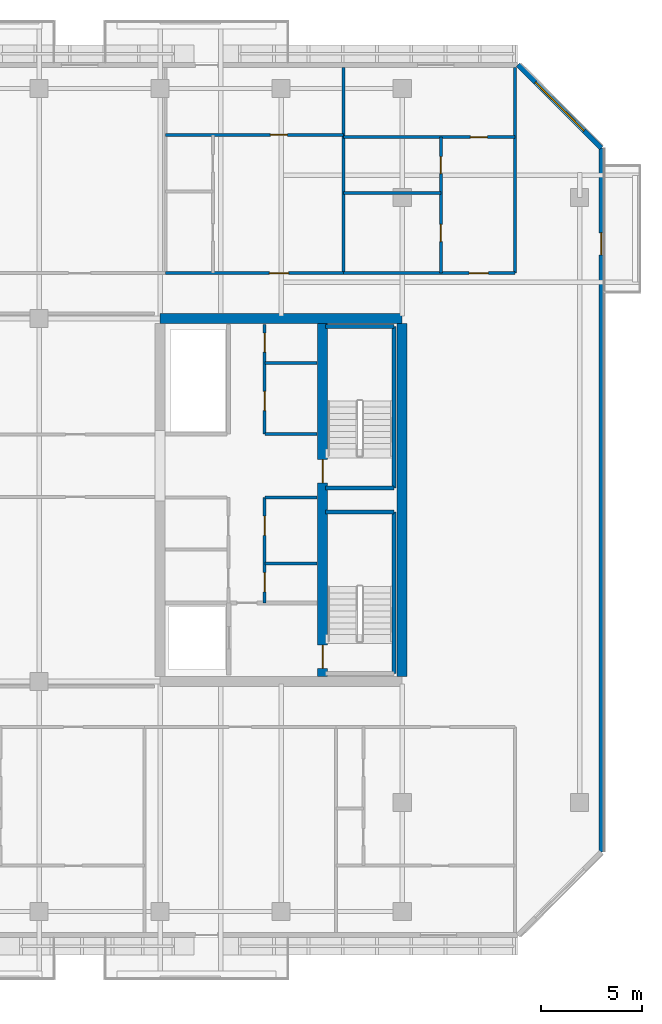
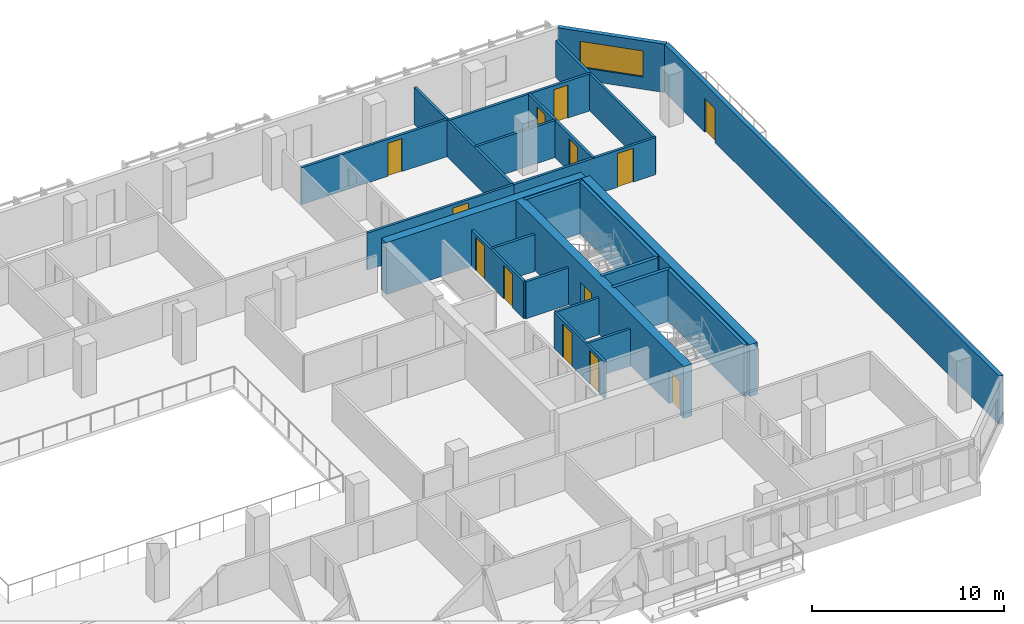
# One storey, part 14 of 21: 24 walls, 13 doors, 1 window, 14 openings.
"""IFC4 building model written with IfcOpenShell, lengths in metres."""

from ifc_helpers import new_model, si_unit, direction, frame, frame_2d, origin, place, context, subcontext, project, spatial, rectangle, extrude, material, layer, layer_set, type_object, element, fill, save


model = new_model("IFC4")

# Units and contexts
model_context = context("Model", 3, precision=1e-05, world=origin(), true_north=direction((0.0, 1.0)))
body_context = subcontext(model_context, "Body", "Model", "MODEL_VIEW")
ifc_project = project(units=[si_unit("LENGTHUNIT", "METRE"), si_unit("AREAUNIT", "SQUARE_METRE"), si_unit("VOLUMEUNIT", "CUBIC_METRE"), si_unit("PLANEANGLEUNIT", "RADIAN"), si_unit("MASSUNIT", "GRAM", prefix="KILO")], contexts=[model_context])

# Site, building, storey
site_placement = place(None, origin())
site = spatial("IfcSite", under=ifc_project, at=site_placement, CompositionType="ELEMENT")
building_placement = place(site_placement, origin())
building = spatial("IfcBuilding", under=site, at=building_placement, Name="Tanjung Sevakor Pilgrim Tower", CompositionType="ELEMENT")
storey_placement = place(building_placement, frame((0.0, 0.0, 145.199951171875)))
storey = spatial("IfcBuildingStorey", under=building, at=storey_placement, Name="L40", CompositionType="ELEMENT", Elevation=145.199951171875)

# Walls
ifc_material_1 = material(Name="Concrete C60/75", Category="concrete")
ifc_layer_1 = layer(ifc_material_1, 0.5)
ifc_layer_set_1 = layer_set([ifc_layer_1], Name="WALL-CW-500")
wall_type_1 = type_object("IfcWallType", Name="WALL-CW-500", PredefinedType="SHEAR", material=ifc_layer_set_1)
wall_1_placement = place(storey_placement, frame((90.0, 42.60009765625, 0.0), z_axis=(0.0, 0.0, 1.0), x_axis=(-1.0, 0.0, 0.0)))
element("IfcWall", 1, at=wall_1_placement, inside=storey, type_object=wall_type_1, Name="L40 E Core North Shear Wall", PredefinedType="SHEAR", context=body_context, shape_type="SweptSolid", body=[
    extrude(rectangle(XDim=12.0, YDim=0.5, at=frame_2d((6.0, 0.0))), origin(), (0.0, 0.0, 1.0), 3.300048828125),
])
wall_2_placement = place(storey_placement, frame((90.0, 24.85009765625, 0.0), z_axis=(0.0, 0.0, 1.0), x_axis=(0.0, 1.0, 0.0)))
element("IfcWall", 2, at=wall_2_placement, inside=storey, type_object=wall_type_1, Name="L40 E Core Outer Shear Wall", PredefinedType="SHEAR", context=body_context, shape_type="SweptSolid", body=[
    extrude(rectangle(XDim=17.5, YDim=0.5, at=frame_2d((8.75, 0.0))), origin(), (0.0, 0.0, 1.0), 3.300048828125),
])

# Wall, openings, doors
wall_3_placement = place(storey_placement, frame((86.050048828125, 24.85009765625, 0.0), z_axis=(0.0, 0.0, 1.0), x_axis=(0.0, 1.0, 0.0)))
wall_3 = element("IfcWall", 3, at=wall_3_placement, inside=storey, type_object=wall_type_1, Name="L40 E Core Stair Spine Wall", PredefinedType="SHEAR", context=body_context, shape_type="SweptSolid", body=[
    extrude(rectangle(XDim=17.5, YDim=0.5, at=frame_2d((8.75, 0.0))), origin(), (0.0, 0.0, 1.0), 3.300048828125),
])
opening_1_placement = place(wall_3_placement, frame((0.39990234375, 0.0, 0.0)))
opening_1 = element("IfcOpeningElement", 4, at=opening_1_placement, cuts=wall_3, Name="Opening ID-ST1", PredefinedType="OPENING", context=body_context, shape_type="SweptSolid", body=[
    extrude(rectangle(XDim=1.14990234375, YDim=2.14990234375, at=frame_2d((0.574951171875, 1.074951171875))), frame((0.0, 0.260009765625, 0.0), z_axis=(0.0, -1.0, 0.0), x_axis=(1.0, 0.0, 0.0)), (0.0, 0.0, 1.0), 0.52001953125),
])
opening_2_placement = place(wall_3_placement, frame((9.60009765625, 0.0, 0.0)))
opening_2 = element("IfcOpeningElement", 5, at=opening_2_placement, cuts=wall_3, Name="Opening ID-ST1", PredefinedType="OPENING", context=body_context, shape_type="SweptSolid", body=[
    extrude(rectangle(XDim=1.14990234375, YDim=2.14990234375, at=frame_2d((0.574951171875, 1.074951171875))), frame((0.0, 0.260009765625, 0.0), z_axis=(0.0, -1.0, 0.0), x_axis=(1.0, 0.0, 0.0)), (0.0, 0.0, 1.0), 0.52001953125),
])
ifc_material_2 = material(Name="Fire-Rated Steel S355J2", Category="steel")
door_type_1 = type_object("IfcDoorType", Name="DT-FIRE-1150", OperationType="NOTDEFINED", PredefinedType="DOOR", material=ifc_material_2)
door_1_placement = place(opening_1_placement, origin())
door_1 = element("IfcDoor", 6, at=door_1_placement, inside=storey, type_object=door_type_1, Name="L40 TS-E1 Stair Fire Door", OperationType="SINGLE_SWING_RIGHT", OverallHeight=2.14990234375, OverallWidth=1.14990234375, PredefinedType="DOOR", context=body_context, shape_type="SweptSolid", body=[
    extrude(rectangle(XDim=1.14990234375, YDim=2.14990234375, at=frame_2d((0.574951171875, 1.074951171875))), frame((0.0, 0.02490234375, 0.0), z_axis=(0.0, -1.0, 0.0), x_axis=(1.0, 0.0, 0.0)), (0.0, 0.0, 1.0), 0.050048828125),
])
fill(opening_1, door_1)
door_2_placement = place(opening_2_placement, origin())
door_2 = element("IfcDoor", 7, at=door_2_placement, inside=storey, type_object=door_type_1, Name="L40 TS-E2 Stair Fire Door", OperationType="SINGLE_SWING_LEFT", OverallHeight=2.14990234375, OverallWidth=1.14990234375, PredefinedType="DOOR", context=body_context, shape_type="SweptSolid", body=[
    extrude(rectangle(XDim=1.14990234375, YDim=2.14990234375, at=frame_2d((0.574951171875, 1.074951171875))), frame((0.0, 0.02490234375, 0.0), z_axis=(0.0, -1.0, 0.0), x_axis=(1.0, 0.0, 0.0)), (0.0, 0.0, 1.0), 0.050048828125),
])
fill(opening_2, door_2)

# Walls
ifc_material_3 = material(Name="Concrete C40/50", Category="concrete")
ifc_layer_2 = layer(ifc_material_3, 0.14990234375)
ifc_layer_set_2 = layer_set([ifc_layer_2], Name="WT-COMP-150")
wall_type_2 = type_object("IfcWallType", Name="WT-COMP-150", PredefinedType="SOLIDWALL", material=ifc_layer_set_2)
for number, where, z_axis, x_axis, name in (
    (8, (83.199951171875, 30.449951171875, 0.0), (0.0, 0.0, 1.0), (1.0, 0.0, 0.0), "L40 Partition IW-L40-016"),
    (9, (83.199951171875, 33.719970703125, 0.0), (0.0, 0.0, 1.0), (1.0, 0.0, 0.0), "L40 Partition IW-L40-017"),
):
    element("IfcWall", number, at=place(storey_placement, frame(where, z_axis=z_axis, x_axis=x_axis)), inside=storey, type_object=wall_type_2, Name=name, PredefinedType="SOLIDWALL", context=body_context, shape_type="SweptSolid", body=[
        extrude(rectangle(XDim=2.580078125, YDim=0.14990234375, at=frame_2d((1.2900390625, 0.0))), origin(), (0.0, 0.0, 1.0), 2.35009765625),
    ])

# Wall, openings, doors
wall_4_placement = place(storey_placement, frame((83.179931640625, 28.5, 0.0), z_axis=(0.0, 0.0, 1.0), x_axis=(0.0, 1.0, 0.0)))
wall_4 = element("IfcWall", 10, at=wall_4_placement, inside=storey, type_object=wall_type_2, Name="L40 Partition IW-L40-018", PredefinedType="SOLIDWALL", context=body_context, shape_type="SweptSolid", body=[
    extrude(rectangle(XDim=5.219970703125, YDim=0.14990234375, at=frame_2d((2.60986328125, 0.0))), origin(), (0.0, 0.0, 1.0), 2.35009765625),
])
opening_3_placement = place(wall_4_placement, frame((0.550048828125, 0.0, 0.0)))
opening_3 = element("IfcOpeningElement", 11, at=opening_3_placement, cuts=wall_4, Name="Opening ID-FD2", PredefinedType="OPENING", context=body_context, shape_type="SweptSolid", body=[
    extrude(rectangle(XDim=0.949951171875, YDim=2.14990234375, at=frame_2d((0.47509765625, 1.074951171875))), frame((0.0, 0.0849609375, 0.0), z_axis=(0.0, -1.0, 0.0), x_axis=(1.0, 0.0, 0.0)), (0.0, 0.0, 1.0), 0.169921875),
])
opening_4_placement = place(wall_4_placement, frame((3.35009765625, 0.0, 0.0)))
opening_4 = element("IfcOpeningElement", 12, at=opening_4_placement, cuts=wall_4, Name="Opening ID-FD2", PredefinedType="OPENING", context=body_context, shape_type="SweptSolid", body=[
    extrude(rectangle(XDim=0.949951171875, YDim=2.14990234375, at=frame_2d((0.47509765625, 1.074951171875))), frame((0.0, 0.0849609375, 0.0), z_axis=(0.0, -1.0, 0.0), x_axis=(1.0, 0.0, 0.0)), (0.0, 0.0, 1.0), 0.169921875),
])
ifc_material_4 = material(Name="Fire-Rated Timber", Category="wood")
door_type_2 = type_object("IfcDoorType", Name="DT-FIRE-950", OperationType="NOTDEFINED", PredefinedType="DOOR", material=ifc_material_4)
door_3_placement = place(opening_3_placement, origin())
door_3 = element("IfcDoor", 13, at=door_3_placement, inside=storey, type_object=door_type_2, Name="L40 Cleaner Store Door", OperationType="SINGLE_SWING_LEFT", OverallHeight=2.14990234375, OverallWidth=0.949951171875, PredefinedType="DOOR", context=body_context, shape_type="SweptSolid", body=[
    extrude(rectangle(XDim=0.949951171875, YDim=2.14990234375, at=frame_2d((0.47509765625, 1.074951171875))), frame((0.0, 0.02490234375, 0.0), z_axis=(0.0, -1.0, 0.0), x_axis=(1.0, 0.0, 0.0)), (0.0, 0.0, 1.0), 0.050048828125),
])
fill(opening_3, door_3)
door_4_placement = place(opening_4_placement, origin())
door_4 = element("IfcDoor", 14, at=door_4_placement, inside=storey, type_object=door_type_2, Name="L40 Housekeeping Pantry Door", OperationType="SINGLE_SWING_RIGHT", OverallHeight=2.14990234375, OverallWidth=0.949951171875, PredefinedType="DOOR", context=body_context, shape_type="SweptSolid", body=[
    extrude(rectangle(XDim=0.949951171875, YDim=2.14990234375, at=frame_2d((0.47509765625, 1.074951171875))), frame((0.0, 0.02490234375, 0.0), z_axis=(0.0, -1.0, 0.0), x_axis=(1.0, 0.0, 0.0)), (0.0, 0.0, 1.0), 0.050048828125),
])
fill(opening_4, door_4)

# Walls
for number, where, z_axis, x_axis, name in (
    (15, (83.199951171875, 36.8798828125, 0.0), (0.0, 0.0, 1.0), (1.0, 0.0, 0.0), "L40 Partition IW-L40-022"),
    (16, (83.199951171875, 40.389892578125, 0.0), (0.0, 0.0, 1.0), (1.0, 0.0, 0.0), "L40 Partition IW-L40-023"),
):
    element("IfcWall", number, at=place(storey_placement, frame(where, z_axis=z_axis, x_axis=x_axis)), inside=storey, type_object=wall_type_2, Name=name, PredefinedType="SOLIDWALL", context=body_context, shape_type="SweptSolid", body=[
        extrude(rectangle(XDim=2.580078125, YDim=0.14990234375, at=frame_2d((1.2900390625, 0.0))), origin(), (0.0, 0.0, 1.0), 2.35009765625),
    ])

# Wall, openings, doors
wall_5_placement = place(storey_placement, frame((83.179931640625, 36.8798828125, 0.0), z_axis=(0.0, 0.0, 1.0), x_axis=(0.0, 1.0, 0.0)))
wall_5 = element("IfcWall", 17, at=wall_5_placement, inside=storey, type_object=wall_type_2, Name="L40 Partition IW-L40-024", PredefinedType="SOLIDWALL", context=body_context, shape_type="SweptSolid", body=[
    extrude(rectangle(XDim=5.420166015625, YDim=0.14990234375, at=frame_2d((2.7099609375, 0.0))), origin(), (0.0, 0.0, 1.0), 2.35009765625),
])
opening_5_placement = place(wall_5_placement, frame((1.14990234375, 0.0, 0.0)))
opening_5 = element("IfcOpeningElement", 18, at=opening_5_placement, cuts=wall_5, Name="Opening ID-FD2", PredefinedType="OPENING", context=body_context, shape_type="SweptSolid", body=[
    extrude(rectangle(XDim=0.949951171875, YDim=2.14990234375, at=frame_2d((0.47509765625, 1.074951171875))), frame((0.0, 0.0849609375, 0.0), z_axis=(0.0, -1.0, 0.0), x_axis=(1.0, 0.0, 0.0)), (0.0, 0.0, 1.0), 0.169921875),
])
opening_6_placement = place(wall_5_placement, frame((4.050048828125, 0.0, 0.0)))
opening_6 = element("IfcOpeningElement", 19, at=opening_6_placement, cuts=wall_5, Name="Opening ID-FD2", PredefinedType="OPENING", context=body_context, shape_type="SweptSolid", body=[
    extrude(rectangle(XDim=0.949951171875, YDim=2.14990234375, at=frame_2d((0.47509765625, 1.074951171875))), frame((0.0, 0.0849609375, 0.0), z_axis=(0.0, -1.0, 0.0), x_axis=(1.0, 0.0, 0.0)), (0.0, 0.0, 1.0), 0.169921875),
])
door_5_placement = place(opening_5_placement, origin())
door_5 = element("IfcDoor", 20, at=door_5_placement, inside=storey, type_object=door_type_2, Name="L40 Core Study Room Door", OperationType="SINGLE_SWING_LEFT", OverallHeight=2.14990234375, OverallWidth=0.949951171875, PredefinedType="DOOR", context=body_context, shape_type="SweptSolid", body=[
    extrude(rectangle(XDim=0.949951171875, YDim=2.14990234375, at=frame_2d((0.47509765625, 1.074951171875))), frame((0.0, 0.02490234375, 0.0), z_axis=(0.0, -1.0, 0.0), x_axis=(1.0, 0.0, 0.0)), (0.0, 0.0, 1.0), 0.050048828125),
])
fill(opening_5, door_5)
door_6_placement = place(opening_6_placement, origin())
door_6 = element("IfcDoor", 21, at=door_6_placement, inside=storey, type_object=door_type_2, Name="L40 Service Store Door", OperationType="SINGLE_SWING_RIGHT", OverallHeight=2.14990234375, OverallWidth=0.949951171875, PredefinedType="DOOR", context=body_context, shape_type="SweptSolid", body=[
    extrude(rectangle(XDim=0.949951171875, YDim=2.14990234375, at=frame_2d((0.47509765625, 1.074951171875))), frame((0.0, 0.02490234375, 0.0), z_axis=(0.0, -1.0, 0.0), x_axis=(1.0, 0.0, 0.0)), (0.0, 0.0, 1.0), 0.050048828125),
])
fill(opening_6, door_6)

# Walls
for number, where, z_axis, x_axis, name in (
    (22, (95.60009765625, 44.85009765625, 0.0), (0.0, 0.0, 1.0), (0.0, 1.0, 0.0), "L40 Partition IW-L40-086"),
    (23, (87.080078125, 44.85009765625, 0.0), (0.0, 0.0, 1.0), (0.0, 1.0, 0.0), "L40 Partition IW-L40-099"),
):
    element("IfcWall", number, at=place(storey_placement, frame(where, z_axis=z_axis, x_axis=x_axis)), inside=storey, type_object=wall_type_2, Name=name, PredefinedType="SOLIDWALL", context=body_context, shape_type="SweptSolid", body=[
        extrude(rectangle(XDim=10.199951171875, YDim=0.14990234375, at=frame_2d((5.10009765625, 0.0))), origin(), (0.0, 0.0, 1.0), 2.35009765625),
    ])

# Wall, opening, door
wall_6_placement = place(storey_placement, frame((78.2666015625, 44.85009765625, 0.0), z_axis=(0.0, 0.0, 1.0), x_axis=(1.0, 0.0, 0.0)))
wall_6 = element("IfcWall", 24, at=wall_6_placement, inside=storey, type_object=wall_type_2, Name="L40 Partition IW-L40-103", PredefinedType="SOLIDWALL", context=body_context, shape_type="SweptSolid", body=[
    extrude(rectangle(XDim=8.8134765625, YDim=0.14990234375, at=frame_2d((4.40673828125, 0.0))), origin(), (0.0, 0.0, 1.0), 2.35009765625),
])
opening_7_placement = place(wall_6_placement, frame((5.146728515625, 0.0, 0.0)))
opening_7 = element("IfcOpeningElement", 25, at=opening_7_placement, cuts=wall_6, Name="Opening ID-FD2", PredefinedType="OPENING", context=body_context, shape_type="SweptSolid", body=[
    extrude(rectangle(XDim=0.949951171875, YDim=2.14990234375, at=frame_2d((0.47509765625, 1.074951171875))), frame((0.0, 0.0849609375, 0.0), z_axis=(0.0, -1.0, 0.0), x_axis=(1.0, 0.0, 0.0)), (0.0, 0.0, 1.0), 0.169921875),
])
door_7_placement = place(opening_7_placement, origin())
door_7 = element("IfcDoor", 26, at=door_7_placement, inside=storey, type_object=door_type_2, Name="Residence Entrance", OperationType="SINGLE_SWING_LEFT", OverallHeight=2.14990234375, OverallWidth=0.949951171875, PredefinedType="DOOR", context=body_context, shape_type="SweptSolid", body=[
    extrude(rectangle(XDim=0.949951171875, YDim=2.14990234375, at=frame_2d((0.47509765625, 1.074951171875))), frame((0.0, 0.02490234375, 0.0), z_axis=(0.0, -1.0, 0.0), x_axis=(1.0, 0.0, 0.0)), (0.0, 0.0, 1.0), 0.050048828125),
])
fill(opening_7, door_7)

wall_7_placement = place(storey_placement, frame((87.080078125, 44.85009765625, 0.0), z_axis=(0.0, 0.0, 1.0), x_axis=(1.0, 0.0, 0.0)))
wall_7 = element("IfcWall", 27, at=wall_7_placement, inside=storey, type_object=wall_type_2, Name="L40 Partition IW-L40-107", PredefinedType="SOLIDWALL", context=body_context, shape_type="SweptSolid", body=[
    extrude(rectangle(XDim=8.52001953125, YDim=0.14990234375, at=frame_2d((4.260009765625, 0.0))), origin(), (0.0, 0.0, 1.0), 2.35009765625),
])
opening_8_placement = place(wall_7_placement, frame((6.244873046875, 0.0, 0.0)))
opening_8 = element("IfcOpeningElement", 28, at=opening_8_placement, cuts=wall_7, Name="Opening ID-FD2", PredefinedType="OPENING", context=body_context, shape_type="SweptSolid", body=[
    extrude(rectangle(XDim=0.949951171875, YDim=2.14990234375, at=frame_2d((0.47509765625, 1.074951171875))), frame((0.0, 0.0849609375, 0.0), z_axis=(0.0, -1.0, 0.0), x_axis=(1.0, 0.0, 0.0)), (0.0, 0.0, 1.0), 0.169921875),
])
door_8_placement = place(opening_8_placement, origin())
door_8 = element("IfcDoor", 29, at=door_8_placement, inside=storey, type_object=door_type_2, Name="Residence Entrance", OperationType="SINGLE_SWING_LEFT", OverallHeight=2.14990234375, OverallWidth=0.949951171875, PredefinedType="DOOR", context=body_context, shape_type="SweptSolid", body=[
    extrude(rectangle(XDim=0.949951171875, YDim=2.14990234375, at=frame_2d((0.47509765625, 1.074951171875))), frame((0.0, 0.02490234375, 0.0), z_axis=(0.0, -1.0, 0.0), x_axis=(1.0, 0.0, 0.0)), (0.0, 0.0, 1.0), 0.050048828125),
])
fill(opening_8, door_8)

ifc_material_5 = material(Name="Precast concrete C45/55", Category="concrete")
ifc_layer_3 = layer(ifc_material_5, 0.25)
ifc_layer_set_3 = layer_set([ifc_layer_3], Name="WT-EW-STN3")
wall_type_3 = type_object("IfcWallType", Name="WT-EW-STN3", PredefinedType="SOLIDWALL", material=ifc_layer_set_3)
wall_8_placement = place(storey_placement, frame((99.875, 16.15185546875, 0.0), z_axis=(0.0, 0.0, 1.0), x_axis=(0.0, 1.0, 0.0)))
wall_8 = element("IfcWall", 30, at=wall_8_placement, inside=storey, type_object=wall_type_3, Name="L40 MAIN Exterior Wall 7", PredefinedType="SOLIDWALL", context=body_context, shape_type="SweptSolid", body=[
    extrude(rectangle(XDim=34.896240234375, YDim=0.25, at=frame_2d((17.4482421875, 0.0))), origin(), (0.0, 0.0, 1.0), 3.080078125),
])
opening_9_placement = place(wall_8_placement, frame((29.59814453125, 0.0, 0.0)))
opening_9 = element("IfcOpeningElement", 31, at=opening_9_placement, cuts=wall_8, Name="Opening ED-BAL-1100", PredefinedType="OPENING", context=body_context, shape_type="SweptSolid", body=[
    extrude(rectangle(XDim=1.10009765625, YDim=2.14990234375, at=frame_2d((0.550048828125, 1.074951171875))), frame((0.0, 0.135009765625, 0.0), z_axis=(0.0, -1.0, 0.0), x_axis=(1.0, 0.0, 0.0)), (0.0, 0.0, 1.0), 0.27001953125),
])
ifc_material_6 = material(Name="Anodised Aluminium and Laminated Glass", Category="aluminium")
door_type_3 = type_object("IfcDoorType", Name="DTYP-ED-BAL-1100", OperationType="NOTDEFINED", PredefinedType="DOOR", material=ifc_material_6)
door_9_placement = place(opening_9_placement, frame((1.10009765625, 0.0, 0.0), z_axis=(0.0, 0.0, 1.0), x_axis=(-1.0, 0.0, 0.0)))
door_9 = element("IfcDoor", 32, at=door_9_placement, inside=storey, type_object=door_type_3, Name="L40 East Loggia Door MAIN-E1", OperationType="SINGLE_SWING_LEFT", OverallHeight=2.14990234375, OverallWidth=1.10009765625, PredefinedType="DOOR", context=body_context, shape_type="SweptSolid", body=[
    extrude(rectangle(XDim=1.10009765625, YDim=2.14990234375, at=frame_2d((0.550048828125, 1.074951171875))), frame((0.0, 0.02490234375, 0.0), z_axis=(0.0, -1.0, 0.0), x_axis=(1.0, 0.0, 0.0)), (0.0, 0.0, 1.0), 0.050048828125),
])
fill(opening_9, door_9)

# Wall, opening, window
wall_9_placement = place(storey_placement, frame((99.875, 51.048095703125, 0.0), z_axis=(0.0, 0.0, 1.0), x_axis=(-0.70708586489, 0.707127696864, 0.0)))
wall_9 = element("IfcWall", 33, at=wall_9_placement, inside=storey, type_object=wall_type_3, Name="L40 MAIN Sculpted Corner Wall 7", PredefinedType="SOLIDWALL", context=body_context, shape_type="SweptSolid", body=[
    extrude(rectangle(XDim=5.836181640625, YDim=0.25, at=frame_2d((2.91796875, 0.0))), origin(), (0.0, 0.0, 1.0), 3.080078125),
])
opening_10_placement = place(wall_9_placement, frame((1.218017578125, 0.0, 0.780029296875)))
opening_10 = element("IfcOpeningElement", 34, at=opening_10_placement, cuts=wall_9, Name="Opening WN-CHM-1660", PredefinedType="OPENING", context=body_context, shape_type="SweptSolid", body=[
    extrude(rectangle(XDim=3.39990234375, YDim=1.659912109375, at=frame_2d((1.699951171875, 0.830078125))), frame((0.0, 0.135009765625, 0.0), z_axis=(0.0, -1.0, 0.0), x_axis=(1.0, 0.0, 0.0)), (0.0, 0.0, 1.0), 0.27001953125),
])
ifc_material_7 = material(Name="Thermally Broken Aluminium and Low-E Glass", Category="aluminium")
window_type = type_object("IfcWindowType", Name="WTYP-WN-CHM-1660", PartitioningType="DOUBLE_PANEL_VERTICAL", PredefinedType="WINDOW", material=ifc_material_7)
window_placement = place(opening_10_placement, origin())
window = element("IfcWindow", 35, at=window_placement, inside=storey, type_object=window_type, Name="L40 Facade Window 01", OverallHeight=1.659912109375, OverallWidth=3.39990234375, PartitioningType="SINGLE_PANEL", PredefinedType="WINDOW", context=body_context, shape_type="SweptSolid", body=[
    extrude(rectangle(XDim=3.39990234375, YDim=1.659912109375, at=frame_2d((1.699951171875, 0.830078125))), frame((0.0, 0.030029296875, 0.0), z_axis=(0.0, -1.0, 0.0), x_axis=(1.0, 0.0, 0.0)), (0.0, 0.0, 1.0), 0.06005859375),
])
fill(opening_10, window)

# Walls
ifc_material_8 = material(Name="Concrete C40/50", Category="concrete")
ifc_layer_4 = layer(ifc_material_8, 0.199951171875)
ifc_layer_set_4 = layer_set([ifc_layer_4], Name="WT-FIRE-200")
wall_type_4 = type_object("IfcWallType", Name="WT-FIRE-200", PredefinedType="SOLIDWALL", material=ifc_layer_set_4)
wall_10_placement = place(storey_placement, frame((89.60009765625, 25.0, 0.0), z_axis=(0.0, 0.0, 1.0), x_axis=(0.0, 1.0, 0.0)))
element("IfcWall", 36, at=wall_10_placement, inside=storey, type_object=wall_type_4, Name="L40 TS-E1 Shaft Wall 2", PredefinedType="SOLIDWALL", context=body_context, shape_type="SweptSolid", body=[
    extrude(rectangle(XDim=8.0, YDim=0.199951171875, at=frame_2d((4.0, 0.0))), origin(), (0.0, 0.0, 1.0), 3.300048828125),
])
for number, where, z_axis, x_axis, name in (
    (37, (89.60009765625, 33.0, 0.0), (0.0, 0.0, 1.0), (-1.0, 0.0, 0.0), "L40 TS-E1 Shaft Wall 3"),
    (38, (86.199951171875, 34.199951171875, 0.0), (0.0, 0.0, 1.0), (1.0, 0.0, 0.0), "L40 TS-E2 Shaft Wall 1"),
):
    element("IfcWall", number, at=place(storey_placement, frame(where, z_axis=z_axis, x_axis=x_axis)), inside=storey, type_object=wall_type_4, Name=name, PredefinedType="SOLIDWALL", context=body_context, shape_type="SweptSolid", body=[
        extrude(rectangle(XDim=3.400146484375, YDim=0.199951171875, at=frame_2d((1.7001953125, 0.0))), origin(), (0.0, 0.0, 1.0), 3.300048828125),
    ])
wall_11_placement = place(storey_placement, frame((89.60009765625, 34.199951171875, 0.0), z_axis=(0.0, 0.0, 1.0), x_axis=(0.0, 1.0, 0.0)))
element("IfcWall", 39, at=wall_11_placement, inside=storey, type_object=wall_type_4, Name="L40 TS-E2 Shaft Wall 2", PredefinedType="SOLIDWALL", context=body_context, shape_type="SweptSolid", body=[
    extrude(rectangle(XDim=8.0, YDim=0.199951171875, at=frame_2d((4.0, 0.0))), origin(), (0.0, 0.0, 1.0), 3.300048828125),
])
wall_12_placement = place(storey_placement, frame((89.60009765625, 42.199951171875, 0.0), z_axis=(0.0, 0.0, 1.0), x_axis=(-1.0, 0.0, 0.0)))
element("IfcWall", 40, at=wall_12_placement, inside=storey, type_object=wall_type_4, Name="L40 TS-E2 Shaft Wall 3", PredefinedType="SOLIDWALL", context=body_context, shape_type="SweptSolid", body=[
    extrude(rectangle(XDim=3.400146484375, YDim=0.199951171875, at=frame_2d((1.7001953125, 0.0))), origin(), (0.0, 0.0, 1.0), 3.300048828125),
])

# Wall, opening, door
ifc_material_9 = material(Name="Gypsum Board Partition", Category="gypsum board")
ifc_layer_5 = layer(ifc_material_9, 0.14990234375)
ifc_layer_set_5 = layer_set([ifc_layer_5], Name="WT-PART-150")
wall_type_5 = type_object("IfcWallType", Name="WT-PART-150", PredefinedType="PARTITIONING", material=ifc_layer_set_5)
wall_13_placement = place(storey_placement, frame((78.2666015625, 51.702880859375, 0.0), z_axis=(0.0, 0.0, 1.0), x_axis=(1.0, 0.0, 0.0)))
wall_13 = element("IfcWall", 41, at=wall_13_placement, inside=storey, type_object=wall_type_5, Name="L40 Partition IW-L40-102", PredefinedType="PARTITIONING", context=body_context, shape_type="SweptSolid", body=[
    extrude(rectangle(XDim=8.8134765625, YDim=0.14990234375, at=frame_2d((4.40673828125, 0.0))), origin(), (0.0, 0.0, 1.0), 2.35009765625),
])
opening_11_placement = place(wall_13_placement, frame((5.19677734375, 0.0, 0.0)))
opening_11 = element("IfcOpeningElement", 42, at=opening_11_placement, cuts=wall_13, Name="Opening ID-WC1", PredefinedType="OPENING", context=body_context, shape_type="SweptSolid", body=[
    extrude(rectangle(XDim=0.85009765625, YDim=2.10009765625, at=frame_2d((0.425048828125, 1.050048828125))), frame((0.0, 0.0849609375, 0.0), z_axis=(0.0, -1.0, 0.0), x_axis=(1.0, 0.0, 0.0)), (0.0, 0.0, 1.0), 0.169921875),
])
ifc_material_10 = material(Name="Moisture-Resistant Timber", Category="wood")
door_type_4 = type_object("IfcDoorType", Name="DT-INT-850", OperationType="NOTDEFINED", PredefinedType="DOOR", material=ifc_material_10)
door_10_placement = place(opening_11_placement, origin())
door_10 = element("IfcDoor", 43, at=door_10_placement, inside=storey, type_object=door_type_4, Name="Residence Bedroom Door", OperationType="SINGLE_SWING_RIGHT", OverallHeight=2.10009765625, OverallWidth=0.85009765625, PredefinedType="DOOR", context=body_context, shape_type="SweptSolid", body=[
    extrude(rectangle(XDim=0.85009765625, YDim=2.10009765625, at=frame_2d((0.425048828125, 1.050048828125))), frame((0.0, 0.02490234375, 0.0), z_axis=(0.0, -1.0, 0.0), x_axis=(1.0, 0.0, 0.0)), (0.0, 0.0, 1.0), 0.050048828125),
])
fill(opening_11, door_10)

# Wall
wall_14_placement = place(storey_placement, frame((87.080078125, 48.8251953125, 0.0), z_axis=(0.0, 0.0, 1.0), x_axis=(1.0, 0.0, 0.0)))
element("IfcWall", 44, at=wall_14_placement, inside=storey, type_object=wall_type_5, Name="L40 Partition IW-L40-104", PredefinedType="PARTITIONING", context=body_context, shape_type="SweptSolid", body=[
    extrude(rectangle(XDim=4.83984375, YDim=0.14990234375, at=frame_2d((2.419921875, 0.0))), origin(), (0.0, 0.0, 1.0), 2.35009765625),
])

# Wall, openings, doors
wall_15_placement = place(storey_placement, frame((91.919921875, 44.85009765625, 0.0), z_axis=(0.0, 0.0, 1.0), x_axis=(0.0, 1.0, 0.0)))
wall_15 = element("IfcWall", 45, at=wall_15_placement, inside=storey, type_object=wall_type_5, Name="L40 Partition IW-L40-105", PredefinedType="PARTITIONING", context=body_context, shape_type="SweptSolid", body=[
    extrude(rectangle(XDim=6.7373046875, YDim=0.14990234375, at=frame_2d((3.36865234375, 0.0))), origin(), (0.0, 0.0, 1.0), 2.35009765625),
])
opening_12_placement = place(wall_15_placement, frame((1.5625, 0.0, 0.0)))
opening_12 = element("IfcOpeningElement", 46, at=opening_12_placement, cuts=wall_15, Name="Opening ID-WC1", PredefinedType="OPENING", context=body_context, shape_type="SweptSolid", body=[
    extrude(rectangle(XDim=0.85009765625, YDim=2.10009765625, at=frame_2d((0.425048828125, 1.050048828125))), frame((0.0, 0.0849609375, 0.0), z_axis=(0.0, -1.0, 0.0), x_axis=(1.0, 0.0, 0.0)), (0.0, 0.0, 1.0), 0.169921875),
])
opening_13_placement = place(wall_15_placement, frame((4.931396484375, 0.0, 0.0)))
opening_13 = element("IfcOpeningElement", 47, at=opening_13_placement, cuts=wall_15, Name="Opening ID-WC1", PredefinedType="OPENING", context=body_context, shape_type="SweptSolid", body=[
    extrude(rectangle(XDim=0.85009765625, YDim=2.10009765625, at=frame_2d((0.425048828125, 1.050048828125))), frame((0.0, 0.0849609375, 0.0), z_axis=(0.0, -1.0, 0.0), x_axis=(1.0, 0.0, 0.0)), (0.0, 0.0, 1.0), 0.169921875),
])
door_11_placement = place(opening_12_placement, origin())
door_11 = element("IfcDoor", 48, at=door_11_placement, inside=storey, type_object=door_type_4, Name="Residence Kitchenette Door", OperationType="SINGLE_SWING_RIGHT", OverallHeight=2.10009765625, OverallWidth=0.85009765625, PredefinedType="DOOR", context=body_context, shape_type="SweptSolid", body=[
    extrude(rectangle(XDim=0.85009765625, YDim=2.10009765625, at=frame_2d((0.425048828125, 1.050048828125))), frame((0.0, 0.02490234375, 0.0), z_axis=(0.0, -1.0, 0.0), x_axis=(1.0, 0.0, 0.0)), (0.0, 0.0, 1.0), 0.050048828125),
])
fill(opening_12, door_11)
door_12_placement = place(opening_13_placement, origin())
door_12 = element("IfcDoor", 49, at=door_12_placement, inside=storey, type_object=door_type_4, Name="Residence Bathroom Door", OperationType="SINGLE_SWING_LEFT", OverallHeight=2.10009765625, OverallWidth=0.85009765625, PredefinedType="DOOR", context=body_context, shape_type="SweptSolid", body=[
    extrude(rectangle(XDim=0.85009765625, YDim=2.10009765625, at=frame_2d((0.425048828125, 1.050048828125))), frame((0.0, 0.02490234375, 0.0), z_axis=(0.0, -1.0, 0.0), x_axis=(1.0, 0.0, 0.0)), (0.0, 0.0, 1.0), 0.050048828125),
])
fill(opening_13, door_12)

# Wall, opening, door
wall_16_placement = place(storey_placement, frame((87.080078125, 51.58740234375, 0.0), z_axis=(0.0, 0.0, 1.0), x_axis=(1.0, 0.0, 0.0)))
wall_16 = element("IfcWall", 50, at=wall_16_placement, inside=storey, type_object=wall_type_5, Name="L40 Partition IW-L40-106", PredefinedType="PARTITIONING", context=body_context, shape_type="SweptSolid", body=[
    extrude(rectangle(XDim=8.52001953125, YDim=0.14990234375, at=frame_2d((4.260009765625, 0.0))), origin(), (0.0, 0.0, 1.0), 2.35009765625),
])
opening_14_placement = place(wall_16_placement, frame((6.294921875, 0.0, 0.0)))
opening_14 = element("IfcOpeningElement", 51, at=opening_14_placement, cuts=wall_16, Name="Opening ID-WC1", PredefinedType="OPENING", context=body_context, shape_type="SweptSolid", body=[
    extrude(rectangle(XDim=0.85009765625, YDim=2.10009765625, at=frame_2d((0.425048828125, 1.050048828125))), frame((0.0, 0.0849609375, 0.0), z_axis=(0.0, -1.0, 0.0), x_axis=(1.0, 0.0, 0.0)), (0.0, 0.0, 1.0), 0.169921875),
])
door_13_placement = place(opening_14_placement, origin())
door_13 = element("IfcDoor", 52, at=door_13_placement, inside=storey, type_object=door_type_4, Name="Residence Bedroom Door", OperationType="SINGLE_SWING_RIGHT", OverallHeight=2.10009765625, OverallWidth=0.85009765625, PredefinedType="DOOR", context=body_context, shape_type="SweptSolid", body=[
    extrude(rectangle(XDim=0.85009765625, YDim=2.10009765625, at=frame_2d((0.425048828125, 1.050048828125))), frame((0.0, 0.02490234375, 0.0), z_axis=(0.0, -1.0, 0.0), x_axis=(1.0, 0.0, 0.0)), (0.0, 0.0, 1.0), 0.050048828125),
])
fill(opening_14, door_13)

save(model, "model.ifc")
